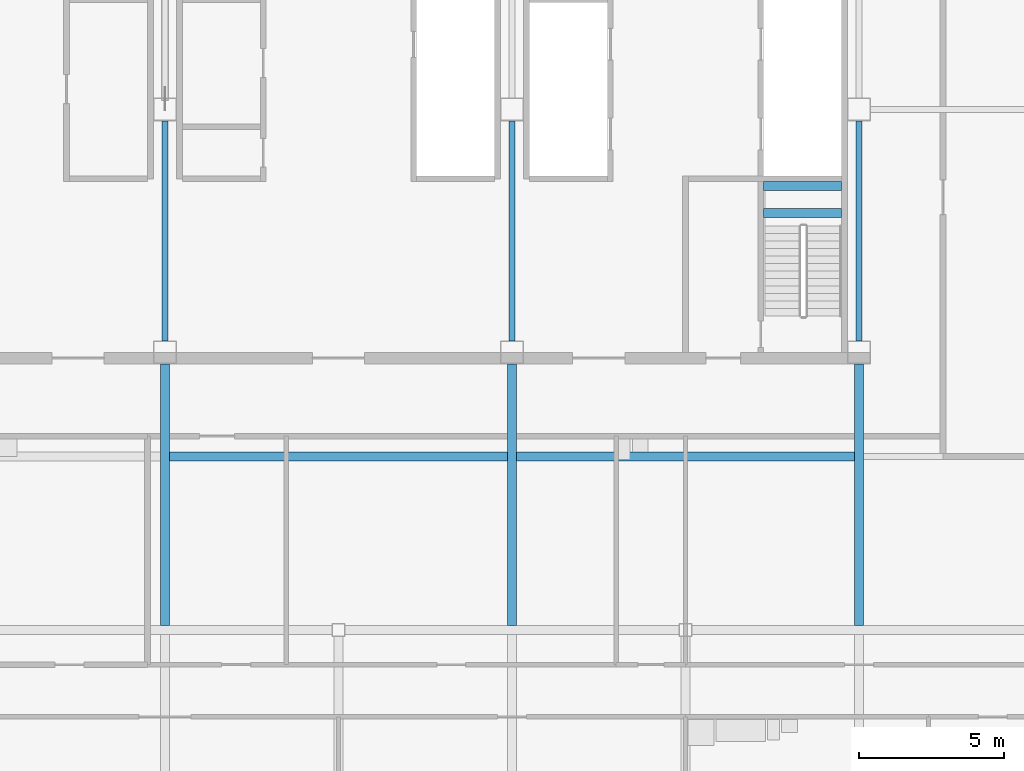
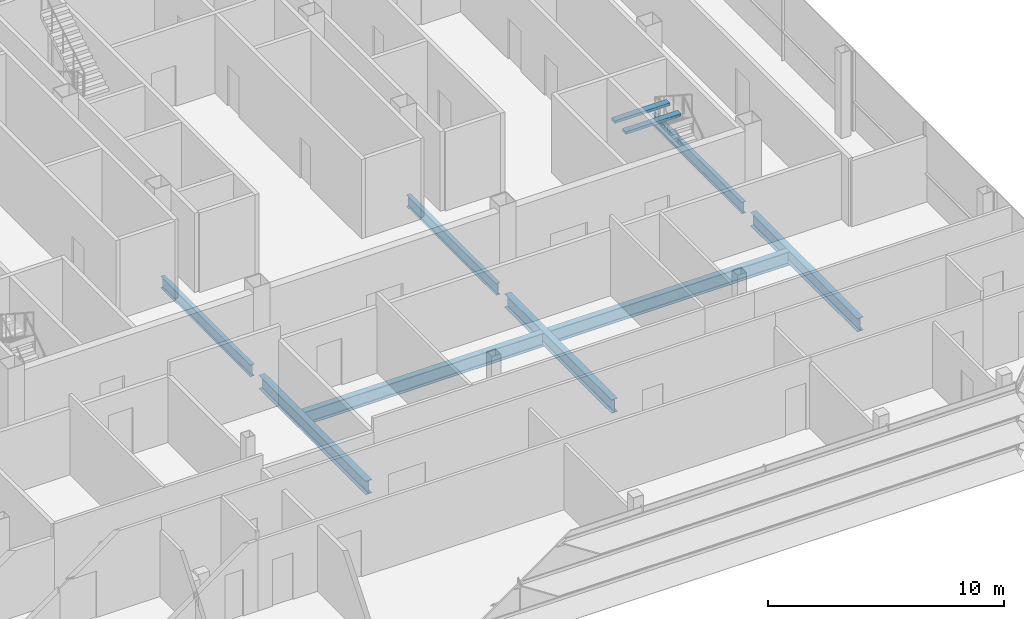
# One storey, part 12 of 29: 10 beams.
"""IFC4 building model written with IfcOpenShell, lengths in metres."""

from ifc_helpers import new_model, si_unit, direction, frame, origin, origin_2d, place, context, subcontext, project, spatial, rectangle, i_section, extrude, material, material_profile, profile_set, type_object, element, save


model = new_model("IFC4")

# Units and contexts
model_context = context("Model", 3, precision=1e-05, world=origin(), true_north=direction((0.0, 1.0)))
body_context = subcontext(model_context, "Body", "Model", "MODEL_VIEW")
ifc_project = project(units=[si_unit("LENGTHUNIT", "METRE"), si_unit("AREAUNIT", "SQUARE_METRE"), si_unit("VOLUMEUNIT", "CUBIC_METRE"), si_unit("PLANEANGLEUNIT", "RADIAN"), si_unit("MASSUNIT", "GRAM", prefix="KILO")], contexts=[model_context])

# Site, building, storey
site_placement = place(None, origin())
site = spatial("IfcSite", under=ifc_project, at=site_placement, CompositionType="ELEMENT")
building_placement = place(site_placement, origin())
building = spatial("IfcBuilding", under=site, at=building_placement, Name="Sorahane Residences", CompositionType="ELEMENT")
storey_placement = place(building_placement, frame((0.0, 0.0, 326.800048828125)))
storey = spatial("IfcBuildingStorey", under=building, at=storey_placement, Name="L78", CompositionType="ELEMENT", Elevation=326.800048828125)

# Beams
ifc_material_1 = material(Name="Concrete C40", Category="concrete")
ifc_material_profile_1 = material_profile(ifc_material_1, rectangle(XDim=0.300048828125, YDim=0.139892578125, at=origin_2d()), Name="300x140")
ifc_profile_set_1 = profile_set([ifc_material_profile_1], Name="Concrete C40")
beam_type_1 = type_object("IfcBeamType", Name="RC landing beam 300 x 140 Concrete C40", PredefinedType="BEAM", material=ifc_profile_set_1)
for number, where, z_axis, x_axis, name in (
    (1, (38.699951171875, 26.419921875, 1.929931640625), (1.0, 0.0, 0.0), (0.0, 1.0, 0.0), "Landing beam"),
    (2, (38.699951171875, 27.35009765625, 1.929931640625), (1.0, 0.0, 0.0), (0.0, 1.0, 0.0), "Landing beam"),
):
    element("IfcBeam", number, at=place(storey_placement, frame(where, z_axis=z_axis, x_axis=x_axis)), inside=storey, type_object=beam_type_1, Name=name, PredefinedType="BEAM", context=body_context, shape_type="SweptSolid", body=[
        extrude(rectangle(XDim=0.300048828125, YDim=0.139892578125, at=origin_2d()), origin(), (0.0, 0.0, 1.0), 2.699951171875),
    ])
ifc_material_2 = material(Name="Steel Q355B", Category="steel")
ifc_material_profile_2 = material_profile(ifc_material_2, i_section(OverallWidth=0.199951171875, OverallDepth=0.60009765625, WebThickness=0.010986328125, FlangeThickness=0.01708984375, FilletRadius=0.02392578125, at=origin_2d()), Name="HN 600x200x11x17")
ifc_profile_set_2 = profile_set([ifc_material_profile_2], Name="Steel Q355B")
beam_type_2 = type_object("IfcBeamType", Name="Steel floor beam HN 600x200x11x17 Q355B", PredefinedType="BEAM", material=ifc_profile_set_2)
for number, where, z_axis, x_axis, name in (
    (3, (18.0, 22.0, -0.47998046875), (0.0, 1.0, 0.0), (-1.0, 0.0, 0.0), "Beam L78 042"),
    (4, (30.0, 22.0, -0.47998046875), (0.0, 1.0, 0.0), (-1.0, 0.0, 0.0), "Beam L78 050"),
    (5, (42.0, 22.0, -0.47998046875), (0.0, 1.0, 0.0), (-1.0, 0.0, 0.0), "Beam L78 058"),
):
    element("IfcBeam", number, at=place(storey_placement, frame(where, z_axis=z_axis, x_axis=x_axis)), inside=storey, type_object=beam_type_2, Name=name, PredefinedType="BEAM", context=body_context, shape_type="SweptSolid", body=[
        extrude(i_section(OverallWidth=0.199951171875, OverallDepth=0.60009765625, WebThickness=0.010986328125, FlangeThickness=0.01708984375, FilletRadius=0.02392578125, at=origin_2d()), origin(), (0.0, 0.0, 1.0), 7.60009765625),
    ])
ifc_material_3 = material(Name="Steel Q355B", Category="steel")
ifc_material_profile_3 = material_profile(ifc_material_3, i_section(OverallWidth=0.300048828125, OverallDepth=0.699951171875, WebThickness=0.012939453125, FlangeThickness=0.02392578125, FilletRadius=0.028076171875, at=origin_2d()), Name="HN 700x300x13x24")
ifc_profile_set_3 = profile_set([ifc_material_profile_3], Name="Steel Q355B")
beam_type_3 = type_object("IfcBeamType", Name="Steel floor beam HN 700x300x13x24 Q355B", PredefinedType="BEAM", material=ifc_profile_set_3)
for number, where, z_axis, x_axis, name in (
    (6, (18.0, 12.14990234375, -0.530029296875), (0.0, 1.0, 0.0), (-1.0, 0.0, 0.0), "Beam L78 041"),
    (7, (30.0, 12.14990234375, -0.530029296875), (0.0, 1.0, 0.0), (-1.0, 0.0, 0.0), "Beam L78 049"),
    (8, (42.0, 12.14990234375, -0.530029296875), (0.0, 1.0, 0.0), (-1.0, 0.0, 0.0), "Beam L78 057"),
):
    element("IfcBeam", number, at=place(storey_placement, frame(where, z_axis=z_axis, x_axis=x_axis)), inside=storey, type_object=beam_type_3, Name=name, PredefinedType="BEAM", context=body_context, shape_type="SweptSolid", body=[
        extrude(i_section(OverallWidth=0.300048828125, OverallDepth=0.699951171875, WebThickness=0.012939453125, FlangeThickness=0.02392578125, FilletRadius=0.028076171875, at=origin_2d()), origin(), (0.0, 0.0, 1.0), 9.050048828125),
    ])
for number, where, z_axis, x_axis, name in (
    (9, (18.14990234375, 18.0, -0.530029296875), (1.0, 0.0, 0.0), (0.0, 1.0, 0.0), "Beam L78 080"),
    (10, (30.14990234375, 18.0, -0.530029296875), (1.0, 0.0, 0.0), (0.0, 1.0, 0.0), "Beam L78 081"),
):
    element("IfcBeam", number, at=place(storey_placement, frame(where, z_axis=z_axis, x_axis=x_axis)), inside=storey, type_object=beam_type_3, Name=name, PredefinedType="BEAM", context=body_context, shape_type="SweptSolid", body=[
        extrude(i_section(OverallWidth=0.300048828125, OverallDepth=0.699951171875, WebThickness=0.012939453125, FlangeThickness=0.02392578125, FilletRadius=0.028076171875, at=origin_2d()), origin(), (0.0, 0.0, 1.0), 11.7001953125),
    ])

save(model, "model.ifc")
